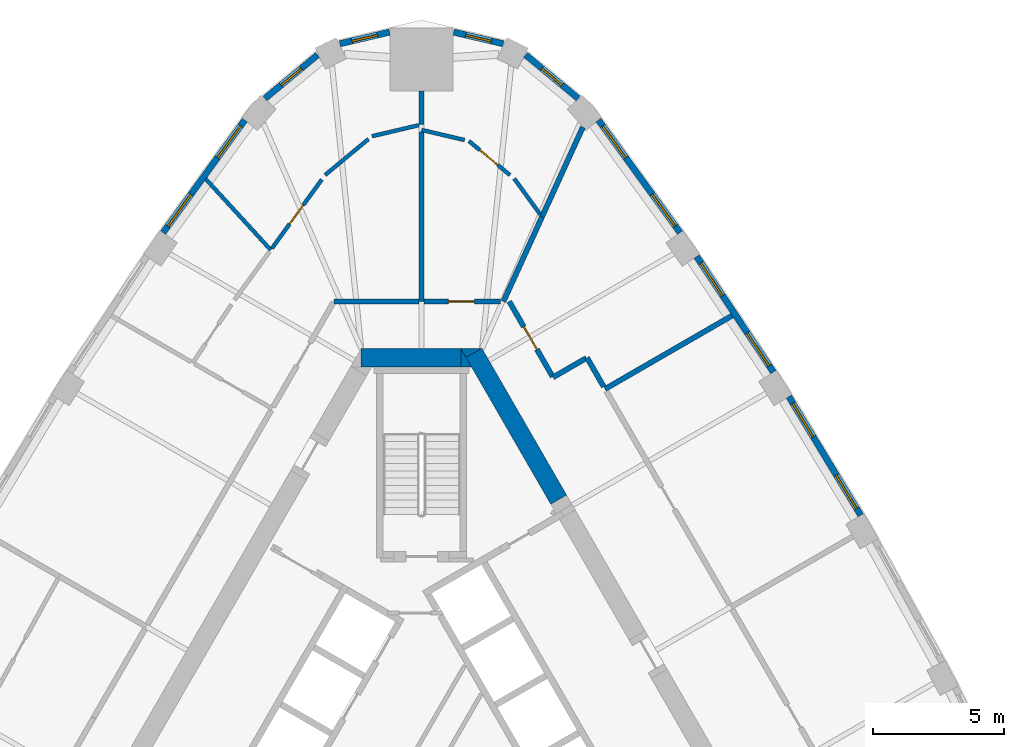
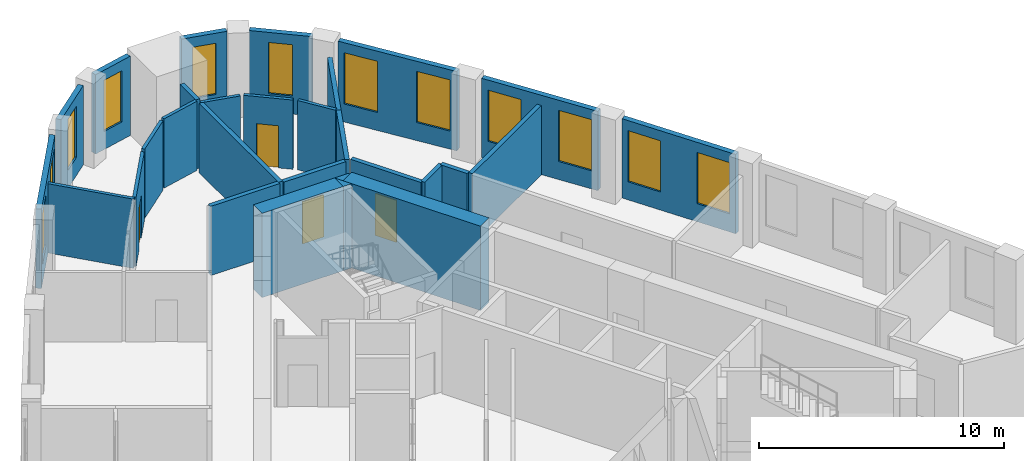
# One storey, part 8 of 10: 29 walls, 12 windows, 4 doors, 16 openings.
"""IFC4 building model written with IfcOpenShell, lengths in metres."""

from ifc_helpers import new_model, si_unit, direction, frame, frame_2d, origin, place, context, subcontext, project, spatial, polyline, rectangle, outline, extrude, material, layer, layer_set, type_object, element, fill, save


model = new_model("IFC4")

# Units and contexts
model_context = context("Model", 3, precision=1e-05, world=origin(), true_north=direction((0.0, 1.0)))
body_context = subcontext(model_context, "Body", "Model", "MODEL_VIEW")
ifc_project = project(units=[si_unit("LENGTHUNIT", "METRE"), si_unit("AREAUNIT", "SQUARE_METRE"), si_unit("VOLUMEUNIT", "CUBIC_METRE"), si_unit("PLANEANGLEUNIT", "RADIAN"), si_unit("MASSUNIT", "GRAM", prefix="KILO")], contexts=[model_context])

# Site, building, storey
site_placement = place(None, origin())
site = spatial("IfcSite", under=ifc_project, at=site_placement, CompositionType="ELEMENT")
building_placement = place(site_placement, origin())
building = spatial("IfcBuilding", under=site, at=building_placement, Name="Mestral Congress Tower", CompositionType="ELEMENT")
storey_placement = place(building_placement, frame((0.0, 0.0, 222.60009765625)))
storey = spatial("IfcBuildingStorey", under=building, at=storey_placement, Name="L52", CompositionType="ELEMENT", Elevation=222.60009765625)

# Walls
ifc_material_1 = material(Name="Concrete C60/75", Category="concrete")
ifc_layer_1 = layer(ifc_material_1, 0.699951171875)
ifc_layer_set_1 = layer_set([ifc_layer_1], Name="Concrete C60/75")
wall_type_1 = type_object("IfcWallType", Name="Core wall RC 700", PredefinedType="SOLIDWALL", material=ifc_layer_set_1)
wall_1_placement = place(storey_placement, frame((5.23828125, 10.927001953125, 0.0), z_axis=(0.0, 0.0, 1.0), x_axis=(-0.499985607887, 0.866033712915, 0.0)))
element("IfcWall", 1, at=wall_1_placement, inside=storey, type_object=wall_type_1, Name="L52 core wall", PredefinedType="SOLIDWALL", context=body_context, shape_type="SweptSolid", body=[
    extrude(rectangle(XDim=6.478271484375, YDim=0.699951171875, at=frame_2d((3.2392578125, 0.0))), origin(), (0.0, 0.0, 1.0), 4.199951171875),
])
placement = place(storey_placement, origin())
element("IfcWall", 2, at=placement, inside=storey, type_object=wall_type_1, Name="L52 core wall", PredefinedType="SOLIDWALL", context=body_context, shape_type="SweptSolid", body=[
    extrude(outline(polyline([(1.501220703125, 16.699951171875), (2.277099609375, 16.699951171875), (1.695068359375, 16.364013671875), (1.501220703125, 16.699951171875)])), origin(), (0.0, 0.0, 1.0), 4.199951171875),
])
wall_3_placement = place(storey_placement, frame((-2.323486328125, 16.35009765625, 0.0), z_axis=(0.0, 0.0, 1.0), x_axis=(1.0, 0.0, 0.0)))
element("IfcWall", 3, at=wall_3_placement, inside=storey, type_object=wall_type_1, Name="L52 core wall", PredefinedType="SOLIDWALL", context=body_context, shape_type="SweptSolid", body=[
    extrude(rectangle(XDim=3.828857421875, YDim=0.699951171875, at=frame_2d((1.91455078125, 0.0))), origin(), (0.0, 0.0, 1.0), 4.199951171875),
])
element("IfcWall", 4, at=placement, inside=storey, type_object=wall_type_1, Name="L52 core wall", PredefinedType="SOLIDWALL", context=body_context, shape_type="SweptSolid", body=[
    extrude(outline(polyline([(1.9052734375, 16.0), (1.50732421875, 16.0), (1.50732421875, 16.689208984375), (1.9052734375, 16.0)])), origin(), (0.0, 0.0, 1.0), 4.199951171875),
])

# Wall, openings, windows
ifc_material_2 = material(Name="Precast concrete C40/50 with limestone facing", Category="masonry")
ifc_layer_2 = layer(ifc_material_2, 0.239990234375)
ifc_layer_set_2 = layer_set([ifc_layer_2], Name="Precast concrete C40/50 with limestone facing")
wall_type_2 = type_object("IfcWallType", Name="Facade stone wall 240", PredefinedType="SOLIDWALL", material=ifc_layer_set_2)
wall_5_placement = place(storey_placement, frame((16.78173828125, 10.331298828125, 0.0), z_axis=(0.0, 0.0, 1.0), x_axis=(-0.517846166225, 0.855473756538, 0.0)))
wall_5 = element("IfcWall", 5, at=wall_5_placement, inside=storey, type_object=wall_type_2, Name="Facade wall F1-03", PredefinedType="SOLIDWALL", context=body_context, shape_type="SweptSolid", body=[
    extrude(rectangle(XDim=5.298095703125, YDim=0.239990234375, at=frame_2d((2.64892578125, 0.0))), origin(), (0.0, 0.0, 1.0), 3.949951171875),
])
opening_1_placement = place(wall_5_placement, frame((0.29443359375, 0.0, 0.89990234375)))
opening_1 = element("IfcOpeningElement", 6, at=opening_1_placement, cuts=wall_5, Name="Opening W4", PredefinedType="OPENING", context=body_context, shape_type="SweptSolid", body=[
    extrude(rectangle(XDim=1.5, YDim=2.550048828125, at=frame_2d((0.75, 1.27490234375))), frame((0.0, 0.1298828125, 0.0), z_axis=(0.0, -1.0, 0.0), x_axis=(1.0, 0.0, 0.0)), (0.0, 0.0, 1.0), 0.260009765625),
])
opening_2_placement = place(wall_5_placement, frame((3.503662109375, 0.0, 0.89990234375)))
opening_2 = element("IfcOpeningElement", 7, at=opening_2_placement, cuts=wall_5, Name="Opening W4", PredefinedType="OPENING", context=body_context, shape_type="SweptSolid", body=[
    extrude(rectangle(XDim=1.5, YDim=2.550048828125, at=frame_2d((0.75, 1.27490234375))), frame((0.0, 0.1298828125, 0.0), z_axis=(0.0, -1.0, 0.0), x_axis=(1.0, 0.0, 0.0)), (0.0, 0.0, 1.0), 0.260009765625),
])
ifc_material_3 = material(Name="Clear low-emissivity double glazing", Category="glass")
window_type_1 = type_object("IfcWindowType", Name="Facade punched window 1500 x 2550 sill 900", PartitioningType="SINGLE_PANEL", PredefinedType="WINDOW", material=ifc_material_3)
window_1_placement = place(opening_1_placement, origin())
window_1 = element("IfcWindow", 8, at=window_1_placement, inside=storey, type_object=window_type_1, Name="Window F1-03a", OverallHeight=2.550048828125, OverallWidth=1.5, PartitioningType="SINGLE_PANEL", PredefinedType="WINDOW", context=body_context, shape_type="SweptSolid", body=[
    extrude(rectangle(XDim=1.5, YDim=2.550048828125, at=frame_2d((0.75, 1.27490234375))), frame((0.0, 0.0400390625, 0.0), z_axis=(0.0, -1.0, 0.0), x_axis=(1.0, 0.0, 0.0)), (0.0, 0.0, 1.0), 0.06005859375),
])
fill(opening_1, window_1)
window_2_placement = place(opening_2_placement, origin())
window_2 = element("IfcWindow", 9, at=window_2_placement, inside=storey, type_object=window_type_1, Name="Window F1-03b", OverallHeight=2.550048828125, OverallWidth=1.5, PartitioningType="SINGLE_PANEL", PredefinedType="WINDOW", context=body_context, shape_type="SweptSolid", body=[
    extrude(rectangle(XDim=1.5, YDim=2.550048828125, at=frame_2d((0.75, 1.27490234375))), frame((0.0, 0.0400390625, 0.0), z_axis=(0.0, -1.0, 0.0), x_axis=(1.0, 0.0, 0.0)), (0.0, 0.0, 1.0), 0.06005859375),
])
fill(opening_2, window_2)

wall_6_placement = place(storey_placement, frame((13.442138671875, 15.803466796875, 0.0), z_axis=(0.0, 0.0, 1.0), x_axis=(-0.552901821755, 0.833246407433, 0.0)))
wall_6 = element("IfcWall", 10, at=wall_6_placement, inside=storey, type_object=wall_type_2, Name="Facade wall F1-04", PredefinedType="SOLIDWALL", context=body_context, shape_type="SweptSolid", body=[
    extrude(rectangle(XDim=5.29833984375, YDim=0.239990234375, at=frame_2d((2.649169921875, 0.0))), origin(), (0.0, 0.0, 1.0), 3.949951171875),
])
opening_3_placement = place(wall_6_placement, frame((0.294677734375, 0.0, 0.89990234375)))
opening_3 = element("IfcOpeningElement", 11, at=opening_3_placement, cuts=wall_6, Name="Opening W4", PredefinedType="OPENING", context=body_context, shape_type="SweptSolid", body=[
    extrude(rectangle(XDim=1.5, YDim=2.550048828125, at=frame_2d((0.75, 1.27490234375))), frame((0.0, 0.1298828125, 0.0), z_axis=(0.0, -1.0, 0.0), x_axis=(1.0, 0.0, 0.0)), (0.0, 0.0, 1.0), 0.260009765625),
])
opening_4_placement = place(wall_6_placement, frame((3.50390625, 0.0, 0.89990234375)))
opening_4 = element("IfcOpeningElement", 12, at=opening_4_placement, cuts=wall_6, Name="Opening W4", PredefinedType="OPENING", context=body_context, shape_type="SweptSolid", body=[
    extrude(rectangle(XDim=1.5, YDim=2.550048828125, at=frame_2d((0.75, 1.27490234375))), frame((0.0, 0.1298828125, 0.0), z_axis=(0.0, -1.0, 0.0), x_axis=(1.0, 0.0, 0.0)), (0.0, 0.0, 1.0), 0.260009765625),
])
window_3_placement = place(opening_3_placement, origin())
window_3 = element("IfcWindow", 13, at=window_3_placement, inside=storey, type_object=window_type_1, Name="Window F1-04a", OverallHeight=2.550048828125, OverallWidth=1.5, PartitioningType="SINGLE_PANEL", PredefinedType="WINDOW", context=body_context, shape_type="SweptSolid", body=[
    extrude(rectangle(XDim=1.5, YDim=2.550048828125, at=frame_2d((0.75, 1.27490234375))), frame((0.0, 0.0400390625, 0.0), z_axis=(0.0, -1.0, 0.0), x_axis=(1.0, 0.0, 0.0)), (0.0, 0.0, 1.0), 0.06005859375),
])
fill(opening_3, window_3)
window_4_placement = place(opening_4_placement, origin())
window_4 = element("IfcWindow", 14, at=window_4_placement, inside=storey, type_object=window_type_1, Name="Window F1-04b", OverallHeight=2.550048828125, OverallWidth=1.5, PartitioningType="SINGLE_PANEL", PredefinedType="WINDOW", context=body_context, shape_type="SweptSolid", body=[
    extrude(rectangle(XDim=1.5, YDim=2.550048828125, at=frame_2d((0.75, 1.27490234375))), frame((0.0, 0.0400390625, 0.0), z_axis=(0.0, -1.0, 0.0), x_axis=(1.0, 0.0, 0.0)), (0.0, 0.0, 1.0), 0.06005859375),
])
fill(opening_4, window_4)

wall_7_placement = place(storey_placement, frame((9.87841796875, 21.13232421875, 0.0), z_axis=(0.0, 0.0, 1.0), x_axis=(-0.586998456641, 0.80958805074, 0.0)))
wall_7 = element("IfcWall", 15, at=wall_7_placement, inside=storey, type_object=wall_type_2, Name="Facade wall F1-05", PredefinedType="SOLIDWALL", context=body_context, shape_type="SweptSolid", body=[
    extrude(rectangle(XDim=5.310791015625, YDim=0.239990234375, at=frame_2d((2.6552734375, 0.0))), origin(), (0.0, 0.0, 1.0), 3.949951171875),
])
opening_5_placement = place(wall_7_placement, frame((0.306396484375, 0.0, 0.89990234375)))
opening_5 = element("IfcOpeningElement", 16, at=opening_5_placement, cuts=wall_7, Name="Opening W4", PredefinedType="OPENING", context=body_context, shape_type="SweptSolid", body=[
    extrude(rectangle(XDim=1.5, YDim=2.550048828125, at=frame_2d((0.75, 1.27490234375))), frame((0.0, 0.1298828125, 0.0), z_axis=(0.0, -1.0, 0.0), x_axis=(1.0, 0.0, 0.0)), (0.0, 0.0, 1.0), 0.260009765625),
])
opening_6_placement = place(wall_7_placement, frame((3.539306640625, 0.0, 0.89990234375)))
opening_6 = element("IfcOpeningElement", 17, at=opening_6_placement, cuts=wall_7, Name="Opening W4", PredefinedType="OPENING", context=body_context, shape_type="SweptSolid", body=[
    extrude(rectangle(XDim=1.5, YDim=2.550048828125, at=frame_2d((0.75, 1.27490234375))), frame((0.0, 0.1298828125, 0.0), z_axis=(0.0, -1.0, 0.0), x_axis=(1.0, 0.0, 0.0)), (0.0, 0.0, 1.0), 0.260009765625),
])
window_5_placement = place(opening_5_placement, origin())
window_5 = element("IfcWindow", 18, at=window_5_placement, inside=storey, type_object=window_type_1, Name="Window F1-05a", OverallHeight=2.550048828125, OverallWidth=1.5, PartitioningType="SINGLE_PANEL", PredefinedType="WINDOW", context=body_context, shape_type="SweptSolid", body=[
    extrude(rectangle(XDim=1.5, YDim=2.550048828125, at=frame_2d((0.75, 1.27490234375))), frame((0.0, 0.0400390625, 0.0), z_axis=(0.0, -1.0, 0.0), x_axis=(1.0, 0.0, 0.0)), (0.0, 0.0, 1.0), 0.06005859375),
])
fill(opening_5, window_5)
window_6_placement = place(opening_6_placement, origin())
window_6 = element("IfcWindow", 19, at=window_6_placement, inside=storey, type_object=window_type_1, Name="Window F1-05b", OverallHeight=2.550048828125, OverallWidth=1.5, PartitioningType="SINGLE_PANEL", PredefinedType="WINDOW", context=body_context, shape_type="SweptSolid", body=[
    extrude(rectangle(XDim=1.5, YDim=2.550048828125, at=frame_2d((0.75, 1.27490234375))), frame((0.0, 0.0400390625, 0.0), z_axis=(0.0, -1.0, 0.0), x_axis=(1.0, 0.0, 0.0)), (0.0, 0.0, 1.0), 0.06005859375),
])
fill(opening_6, window_6)

# Wall, opening, window
wall_8_placement = place(storey_placement, frame((5.986572265625, 26.259033203125, 0.0), z_axis=(0.0, 0.0, 1.0), x_axis=(-0.769990037733, 0.638055908045, 0.0)))
wall_8 = element("IfcWall", 20, at=wall_8_placement, inside=storey, type_object=wall_type_2, Name="Facade wall K1-0", PredefinedType="SOLIDWALL", context=body_context, shape_type="SweptSolid", body=[
    extrude(rectangle(XDim=2.609130859375, YDim=0.239990234375, at=frame_2d((1.3046875, 0.0))), origin(), (0.0, 0.0, 1.0), 3.949951171875),
])
opening_7_placement = place(wall_8_placement, frame((0.8046875, 0.0, 0.89990234375)))
opening_7 = element("IfcOpeningElement", 21, at=opening_7_placement, cuts=wall_8, Name="Opening W5", PredefinedType="OPENING", context=body_context, shape_type="SweptSolid", body=[
    extrude(rectangle(XDim=1.0, YDim=2.550048828125, at=frame_2d((0.5, 1.27490234375))), frame((0.0, 0.1298828125, 0.0), z_axis=(0.0, -1.0, 0.0), x_axis=(1.0, 0.0, 0.0)), (0.0, 0.0, 1.0), 0.260009765625),
])
window_type_2 = type_object("IfcWindowType", Name="Facade punched window 1000 x 2550 sill 900", PartitioningType="SINGLE_PANEL", PredefinedType="WINDOW", material=ifc_material_3)
window_7_placement = place(opening_7_placement, origin())
window_7 = element("IfcWindow", 22, at=window_7_placement, inside=storey, type_object=window_type_2, Name="Window K1-0", OverallHeight=2.550048828125, OverallWidth=1.0, PartitioningType="SINGLE_PANEL", PredefinedType="WINDOW", context=body_context, shape_type="SweptSolid", body=[
    extrude(rectangle(XDim=1.0, YDim=2.550048828125, at=frame_2d((0.5, 1.27490234375))), frame((0.0, 0.0400390625, 0.0), z_axis=(0.0, -1.0, 0.0), x_axis=(1.0, 0.0, 0.0)), (0.0, 0.0, 1.0), 0.06005859375),
])
fill(opening_7, window_7)

wall_9_placement = place(storey_placement, frame((3.123046875, 28.3486328125, 0.0), z_axis=(0.0, 0.0, 1.0), x_axis=(-0.973515706272, 0.228620142686, 0.0)))
wall_9 = element("IfcWall", 23, at=wall_9_placement, inside=storey, type_object=wall_type_2, Name="Facade wall K1-1", PredefinedType="SOLIDWALL", context=body_context, shape_type="SweptSolid", body=[
    extrude(rectangle(XDim=1.94775390625, YDim=0.239990234375, at=frame_2d((0.973876953125, 0.0))), origin(), (0.0, 0.0, 1.0), 3.949951171875),
])
opening_8_placement = place(wall_9_placement, frame((0.47412109375, 0.0, 0.89990234375)))
opening_8 = element("IfcOpeningElement", 24, at=opening_8_placement, cuts=wall_9, Name="Opening W5", PredefinedType="OPENING", context=body_context, shape_type="SweptSolid", body=[
    extrude(rectangle(XDim=1.0, YDim=2.550048828125, at=frame_2d((0.5, 1.27490234375))), frame((0.0, 0.1298828125, 0.0), z_axis=(0.0, -1.0, 0.0), x_axis=(1.0, 0.0, 0.0)), (0.0, 0.0, 1.0), 0.260009765625),
])
window_8_placement = place(opening_8_placement, origin())
window_8 = element("IfcWindow", 25, at=window_8_placement, inside=storey, type_object=window_type_2, Name="Window K1-1", OverallHeight=2.550048828125, OverallWidth=1.0, PartitioningType="SINGLE_PANEL", PredefinedType="WINDOW", context=body_context, shape_type="SweptSolid", body=[
    extrude(rectangle(XDim=1.0, YDim=2.550048828125, at=frame_2d((0.5, 1.27490234375))), frame((0.0, 0.0400390625, 0.0), z_axis=(0.0, -1.0, 0.0), x_axis=(1.0, 0.0, 0.0)), (0.0, 0.0, 1.0), 0.06005859375),
])
fill(opening_8, window_8)

wall_10_placement = place(storey_placement, frame((-1.226806640625, 28.7939453125, 0.0), z_axis=(0.0, 0.0, 1.0), x_axis=(-0.973515706272, -0.228620142686, 0.0)))
wall_10 = element("IfcWall", 26, at=wall_10_placement, inside=storey, type_object=wall_type_2, Name="Facade wall K1-2", PredefinedType="SOLIDWALL", context=body_context, shape_type="SweptSolid", body=[
    extrude(rectangle(XDim=1.94775390625, YDim=0.239990234375, at=frame_2d((0.973876953125, 0.0))), origin(), (0.0, 0.0, 1.0), 3.949951171875),
])
opening_9_placement = place(wall_10_placement, frame((0.47412109375, 0.0, 0.89990234375)))
opening_9 = element("IfcOpeningElement", 27, at=opening_9_placement, cuts=wall_10, Name="Opening W5", PredefinedType="OPENING", context=body_context, shape_type="SweptSolid", body=[
    extrude(rectangle(XDim=1.0, YDim=2.550048828125, at=frame_2d((0.5, 1.27490234375))), frame((0.0, 0.1298828125, 0.0), z_axis=(0.0, -1.0, 0.0), x_axis=(1.0, 0.0, 0.0)), (0.0, 0.0, 1.0), 0.260009765625),
])
window_9_placement = place(opening_9_placement, origin())
window_9 = element("IfcWindow", 28, at=window_9_placement, inside=storey, type_object=window_type_2, Name="Window K1-2", OverallHeight=2.550048828125, OverallWidth=1.0, PartitioningType="SINGLE_PANEL", PredefinedType="WINDOW", context=body_context, shape_type="SweptSolid", body=[
    extrude(rectangle(XDim=1.0, YDim=2.550048828125, at=frame_2d((0.5, 1.27490234375))), frame((0.0, 0.0400390625, 0.0), z_axis=(0.0, -1.0, 0.0), x_axis=(1.0, 0.0, 0.0)), (0.0, 0.0, 1.0), 0.06005859375),
])
fill(opening_9, window_9)

wall_11_placement = place(storey_placement, frame((-3.9775390625, 27.923828125, 0.0), z_axis=(0.0, 0.0, 1.0), x_axis=(-0.769990037733, -0.638055908045, 0.0)))
wall_11 = element("IfcWall", 29, at=wall_11_placement, inside=storey, type_object=wall_type_2, Name="Facade wall K1-3", PredefinedType="SOLIDWALL", context=body_context, shape_type="SweptSolid", body=[
    extrude(rectangle(XDim=2.609130859375, YDim=0.239990234375, at=frame_2d((1.3046875, 0.0))), origin(), (0.0, 0.0, 1.0), 3.949951171875),
])
opening_10_placement = place(wall_11_placement, frame((0.8046875, 0.0, 0.89990234375)))
opening_10 = element("IfcOpeningElement", 30, at=opening_10_placement, cuts=wall_11, Name="Opening W5", PredefinedType="OPENING", context=body_context, shape_type="SweptSolid", body=[
    extrude(rectangle(XDim=1.0, YDim=2.550048828125, at=frame_2d((0.5, 1.27490234375))), frame((0.0, 0.1298828125, 0.0), z_axis=(0.0, -1.0, 0.0), x_axis=(1.0, 0.0, 0.0)), (0.0, 0.0, 1.0), 0.260009765625),
])
window_10_placement = place(opening_10_placement, origin())
window_10 = element("IfcWindow", 31, at=window_10_placement, inside=storey, type_object=window_type_2, Name="Window K1-3", OverallHeight=2.550048828125, OverallWidth=1.0, PartitioningType="SINGLE_PANEL", PredefinedType="WINDOW", context=body_context, shape_type="SweptSolid", body=[
    extrude(rectangle(XDim=1.0, YDim=2.550048828125, at=frame_2d((0.5, 1.27490234375))), frame((0.0, 0.0400390625, 0.0), z_axis=(0.0, -1.0, 0.0), x_axis=(1.0, 0.0, 0.0)), (0.0, 0.0, 1.0), 0.06005859375),
])
fill(opening_10, window_10)

# Wall, openings, windows
wall_12_placement = place(storey_placement, frame((-6.760986328125, 25.431884765625, 0.0), z_axis=(0.0, 0.0, 1.0), x_axis=(-0.586998456641, -0.80958805074, 0.0)))
wall_12 = element("IfcWall", 32, at=wall_12_placement, inside=storey, type_object=wall_type_2, Name="Facade wall F2-00", PredefinedType="SOLIDWALL", context=body_context, shape_type="SweptSolid", body=[
    extrude(rectangle(XDim=5.310791015625, YDim=0.239990234375, at=frame_2d((2.6552734375, 0.0))), origin(), (0.0, 0.0, 1.0), 3.949951171875),
])
opening_11_placement = place(wall_12_placement, frame((0.271484375, 0.0, 0.89990234375)))
opening_11 = element("IfcOpeningElement", 33, at=opening_11_placement, cuts=wall_12, Name="Opening W4", PredefinedType="OPENING", context=body_context, shape_type="SweptSolid", body=[
    extrude(rectangle(XDim=1.5, YDim=2.550048828125, at=frame_2d((0.75, 1.27490234375))), frame((0.0, 0.1298828125, 0.0), z_axis=(0.0, -1.0, 0.0), x_axis=(1.0, 0.0, 0.0)), (0.0, 0.0, 1.0), 0.260009765625),
])
opening_12_placement = place(wall_12_placement, frame((3.50439453125, 0.0, 0.89990234375)))
opening_12 = element("IfcOpeningElement", 34, at=opening_12_placement, cuts=wall_12, Name="Opening W4", PredefinedType="OPENING", context=body_context, shape_type="SweptSolid", body=[
    extrude(rectangle(XDim=1.5, YDim=2.550048828125, at=frame_2d((0.75, 1.27490234375))), frame((0.0, 0.1298828125, 0.0), z_axis=(0.0, -1.0, 0.0), x_axis=(1.0, 0.0, 0.0)), (0.0, 0.0, 1.0), 0.260009765625),
])
window_11_placement = place(opening_11_placement, origin())
window_11 = element("IfcWindow", 35, at=window_11_placement, inside=storey, type_object=window_type_1, Name="Window F2-00a", OverallHeight=2.550048828125, OverallWidth=1.5, PartitioningType="SINGLE_PANEL", PredefinedType="WINDOW", context=body_context, shape_type="SweptSolid", body=[
    extrude(rectangle(XDim=1.5, YDim=2.550048828125, at=frame_2d((0.75, 1.27490234375))), frame((0.0, 0.0400390625, 0.0), z_axis=(0.0, -1.0, 0.0), x_axis=(1.0, 0.0, 0.0)), (0.0, 0.0, 1.0), 0.06005859375),
])
fill(opening_11, window_11)
window_12_placement = place(opening_12_placement, origin())
window_12 = element("IfcWindow", 36, at=window_12_placement, inside=storey, type_object=window_type_1, Name="Window F2-00b", OverallHeight=2.550048828125, OverallWidth=1.5, PartitioningType="SINGLE_PANEL", PredefinedType="WINDOW", context=body_context, shape_type="SweptSolid", body=[
    extrude(rectangle(XDim=1.5, YDim=2.550048828125, at=frame_2d((0.75, 1.27490234375))), frame((0.0, 0.0400390625, 0.0), z_axis=(0.0, -1.0, 0.0), x_axis=(1.0, 0.0, 0.0)), (0.0, 0.0, 1.0), 0.06005859375),
])
fill(opening_12, window_12)

# Wall
ifc_material_4 = material(Name="Plasterboard partition on steel studs", Category="steel")
ifc_layer_3 = layer(ifc_material_4, 0.14990234375)
ifc_layer_set_3 = layer_set([ifc_layer_3], Name="Plasterboard partition on steel studs")
wall_type_3 = type_object("IfcWallType", Name="Office partition 150", PredefinedType="PARTITIONING", material=ifc_layer_set_3)
wall_13_placement = place(storey_placement, frame((4.533203125, 21.826416015625, 0.0), z_axis=(0.0, 0.0, 1.0), x_axis=(-0.587019669034, 0.809572670096, 0.0)))
element("IfcWall", 37, at=wall_13_placement, inside=storey, type_object=wall_type_3, Name="Partition", PredefinedType="PARTITIONING", context=body_context, shape_type="SweptSolid", body=[
    extrude(rectangle(XDim=1.689453125, YDim=0.14990234375, at=frame_2d((0.8447265625, 0.0))), origin(), (0.0, 0.0, 1.0), 3.449951171875),
])

# Wall, opening, door
wall_14_placement = place(storey_placement, frame((1.8076171875, 24.630859375, 0.0), z_axis=(0.0, 0.0, 1.0), x_axis=(0.769986239032, -0.638060492195, 0.0)))
wall_14 = element("IfcWall", 38, at=wall_14_placement, inside=storey, type_object=wall_type_3, Name="Partition", PredefinedType="PARTITIONING", context=body_context, shape_type="SweptSolid", body=[
    extrude(rectangle(XDim=2.03759765625, YDim=0.14990234375, at=frame_2d((1.018798828125, 0.0))), origin(), (0.0, 0.0, 1.0), 3.449951171875),
])
opening_13_placement = place(wall_14_placement, frame((0.53759765625, 0.0, 0.0)))
opening_13 = element("IfcOpeningElement", 39, at=opening_13_placement, cuts=wall_14, Name="Opening O07-007", PredefinedType="OPENING", context=body_context, shape_type="SweptSolid", body=[
    extrude(rectangle(XDim=0.89990234375, YDim=2.10009765625, at=frame_2d((0.449951171875, 1.050048828125))), frame((0.0, 0.0849609375, 0.0), z_axis=(0.0, -1.0, 0.0), x_axis=(1.0, 0.0, 0.0)), (0.0, 0.0, 1.0), 0.169921875),
])
ifc_material_5 = material(Name="Timber door set", Category="wood")
door_type_1 = type_object("IfcDoorType", Name="Office door 900x2100", OperationType="SINGLE_SWING_LEFT", PredefinedType="DOOR", material=ifc_material_5)
door_1_placement = place(opening_13_placement, origin())
door_1 = element("IfcDoor", 40, at=door_1_placement, inside=storey, type_object=door_type_1, Name="Door O07-007", OperationType="SINGLE_SWING_LEFT", OverallHeight=2.10009765625, OverallWidth=0.89990234375, PredefinedType="DOOR", context=body_context, shape_type="SweptSolid", body=[
    extrude(rectangle(XDim=0.89990234375, YDim=2.10009765625, at=frame_2d((0.449951171875, 1.050048828125))), frame((0.0, 0.02490234375, 0.0), z_axis=(0.0, -1.0, 0.0), x_axis=(1.0, 0.0, 0.0)), (0.0, 0.0, 1.0), 0.050048828125),
])
fill(opening_13, door_1)

# Walls
wall_15_placement = place(storey_placement, frame((1.643798828125, 24.66943359375, 0.0), z_axis=(0.0, 0.0, 1.0), x_axis=(-0.973521361509, 0.228596060084, 0.0)))
element("IfcWall", 41, at=wall_15_placement, inside=storey, type_object=wall_type_3, Name="Partition", PredefinedType="PARTITIONING", context=body_context, shape_type="SweptSolid", body=[
    extrude(rectangle(XDim=1.6884765625, YDim=0.14990234375, at=frame_2d((0.84423828125, 0.0))), origin(), (0.0, 0.0, 1.0), 3.449951171875),
])
wall_16_placement = place(storey_placement, frame((-5.764404296875, 20.46923828125, 0.0), z_axis=(0.0, 0.0, 1.0), x_axis=(-0.675673477211, 0.737201025632, 0.0)))
element("IfcWall", 42, at=wall_16_placement, inside=storey, type_object=wall_type_3, Name="Partition", PredefinedType="PARTITIONING", context=body_context, shape_type="SweptSolid", body=[
    extrude(rectangle(XDim=3.67431640625, YDim=0.14990234375, at=frame_2d((1.837158203125, 0.0))), origin(), (0.0, 0.0, 1.0), 3.449951171875),
])
wall_17_placement = place(storey_placement, frame((-0.10009765625, 25.2373046875, 0.0), z_axis=(0.0, 0.0, 1.0), x_axis=(-0.973501996937, -0.22867851224, 0.0)))
element("IfcWall", 43, at=wall_17_placement, inside=storey, type_object=wall_type_3, Name="Partition", PredefinedType="PARTITIONING", context=body_context, shape_type="SweptSolid", body=[
    extrude(rectangle(XDim=1.84814453125, YDim=0.14990234375, at=frame_2d((0.924072265625, 0.0))), origin(), (0.0, 0.0, 1.0), 3.449951171875),
])
wall_18_placement = place(storey_placement, frame((-2.02880859375, 24.707275390625, 0.0), z_axis=(0.0, 0.0, 1.0), x_axis=(-0.769991356208, -0.63805431694, 0.0)))
element("IfcWall", 44, at=wall_18_placement, inside=storey, type_object=wall_type_3, Name="Partition", PredefinedType="PARTITIONING", context=body_context, shape_type="SweptSolid", body=[
    extrude(rectangle(XDim=2.15576171875, YDim=0.14990234375, at=frame_2d((1.077880859375, 0.0))), origin(), (0.0, 0.0, 1.0), 3.449951171875),
])

# Wall, opening, door
wall_19_placement = place(storey_placement, frame((-5.71923828125, 20.53125, 0.0), z_axis=(0.0, 0.0, 1.0), x_axis=(0.586981132734, 0.809600611298, 0.0)))
wall_19 = element("IfcWall", 45, at=wall_19_placement, inside=storey, type_object=wall_type_3, Name="Partition", PredefinedType="PARTITIONING", context=body_context, shape_type="SweptSolid", body=[
    extrude(rectangle(XDim=3.2451171875, YDim=0.14990234375, at=frame_2d((1.62255859375, 0.0))), origin(), (0.0, 0.0, 1.0), 3.449951171875),
])
opening_14_placement = place(wall_19_placement, frame((1.145263671875, 0.0, 0.0)))
opening_14 = element("IfcOpeningElement", 46, at=opening_14_placement, cuts=wall_19, Name="Opening O07-009", PredefinedType="OPENING", context=body_context, shape_type="SweptSolid", body=[
    extrude(rectangle(XDim=0.89990234375, YDim=2.10009765625, at=frame_2d((0.449951171875, 1.050048828125))), frame((0.0, 0.0849609375, 0.0), z_axis=(0.0, -1.0, 0.0), x_axis=(1.0, 0.0, 0.0)), (0.0, 0.0, 1.0), 0.169921875),
])
door_2_placement = place(opening_14_placement, origin())
door_2 = element("IfcDoor", 47, at=door_2_placement, inside=storey, type_object=door_type_1, Name="Door O07-009", OperationType="SINGLE_SWING_LEFT", OverallHeight=2.10009765625, OverallWidth=0.89990234375, PredefinedType="DOOR", context=body_context, shape_type="SweptSolid", body=[
    extrude(rectangle(XDim=0.89990234375, YDim=2.10009765625, at=frame_2d((0.449951171875, 1.050048828125))), frame((0.0, 0.02490234375, 0.0), z_axis=(0.0, -1.0, 0.0), x_axis=(1.0, 0.0, 0.0)), (0.0, 0.0, 1.0), 0.050048828125),
])
fill(opening_14, door_2)

# Walls
ifc_material_6 = material(Name="Dense masonry wall, plastered", Category="masonry")
ifc_layer_4 = layer(ifc_material_6, 0.199951171875)
ifc_layer_set_4 = layer_set([ifc_layer_4], Name="Dense masonry wall, plastered")
wall_type_4 = type_object("IfcWallType", Name="Office tenancy wall 200", PredefinedType="PARTITIONING", material=ifc_layer_set_4)
wall_20_placement = place(storey_placement, frame((7.011474609375, 15.156005859375, 0.0), z_axis=(0.0, 0.0, 1.0), x_axis=(0.866015917575, 0.500016430238, 0.0)))
element("IfcWall", 48, at=wall_20_placement, inside=storey, type_object=wall_type_4, Name="Tenancy wall", PredefinedType="PARTITIONING", context=body_context, shape_type="SweptSolid", body=[
    extrude(rectangle(XDim=5.607177734375, YDim=0.199951171875, at=frame_2d((2.8037109375, 0.0))), origin(), (0.0, 0.0, 1.0), 3.449951171875),
])
wall_21_placement = place(storey_placement, frame((4.59912109375, 21.7294921875, 0.0), z_axis=(0.0, 0.0, 1.0), x_axis=(0.414300595715, 0.91014010811, 0.0)))
element("IfcWall", 49, at=wall_21_placement, inside=storey, type_object=wall_type_4, Name="Tenancy wall", PredefinedType="PARTITIONING", context=body_context, shape_type="SweptSolid", body=[
    extrude(rectangle(XDim=3.76953125, YDim=0.199951171875, at=frame_2d((1.884765625, 0.0))), origin(), (0.0, 0.0, 1.0), 3.449951171875),
])
wall_22_placement = place(storey_placement, frame((3.12890625, 18.5, 0.0), z_axis=(0.0, 0.0, 1.0), x_axis=(0.41435618773, 0.910114800281, 0.0)))
element("IfcWall", 50, at=wall_22_placement, inside=storey, type_object=wall_type_4, Name="Tenancy wall", PredefinedType="PARTITIONING", context=body_context, shape_type="SweptSolid", body=[
    extrude(rectangle(XDim=3.55712890625, YDim=0.199951171875, at=frame_2d((1.778564453125, 0.0))), origin(), (0.0, 0.0, 1.0), 3.449951171875),
])
wall_23_placement = place(storey_placement, frame((6.96142578125, 15.24267578125, 0.0), z_axis=(0.0, 0.0, 1.0), x_axis=(-0.500036104519, 0.866004557827, 0.0)))
element("IfcWall", 51, at=wall_23_placement, inside=storey, type_object=wall_type_4, Name="Tenancy wall", PredefinedType="PARTITIONING", context=body_context, shape_type="SweptSolid", body=[
    extrude(rectangle(XDim=1.2802734375, YDim=0.199951171875, at=frame_2d((0.64013671875, 0.0))), origin(), (0.0, 0.0, 1.0), 3.449951171875),
])
wall_24_placement = place(storey_placement, frame((6.29541015625, 16.336181640625, 0.0), z_axis=(0.0, 0.0, 1.0), x_axis=(-0.866088799389, -0.499890179513, 0.0)))
element("IfcWall", 52, at=wall_24_placement, inside=storey, type_object=wall_type_4, Name="Tenancy wall", PredefinedType="PARTITIONING", context=body_context, shape_type="SweptSolid", body=[
    extrude(rectangle(XDim=1.469970703125, YDim=0.199951171875, at=frame_2d((0.73486328125, 0.0))), origin(), (0.0, 0.0, 1.0), 3.449951171875),
])

# Wall, opening, door
wall_25_placement = place(storey_placement, frame((5.007080078125, 15.627197265625, 0.0), z_axis=(0.0, 0.0, 1.0), x_axis=(-0.499962429619, 0.866047093968, 0.0)))
wall_25 = element("IfcWall", 53, at=wall_25_placement, inside=storey, type_object=wall_type_4, Name="Tenancy wall", PredefinedType="PARTITIONING", context=body_context, shape_type="SweptSolid", body=[
    extrude(rectangle(XDim=3.317138671875, YDim=0.199951171875, at=frame_2d((1.65869140625, 0.0))), origin(), (0.0, 0.0, 1.0), 3.449951171875),
])
opening_15_placement = place(wall_25_placement, frame((1.199951171875, 0.0, 0.0)))
opening_15 = element("IfcOpeningElement", 54, at=opening_15_placement, cuts=wall_25, Name="Opening O07-006", PredefinedType="OPENING", context=body_context, shape_type="SweptSolid", body=[
    extrude(rectangle(XDim=1.0, YDim=2.10009765625, at=frame_2d((0.5, 1.050048828125))), frame((0.0, 0.10986328125, 0.0), z_axis=(0.0, -1.0, 0.0), x_axis=(1.0, 0.0, 0.0)), (0.0, 0.0, 1.0), 0.219970703125),
])
ifc_material_7 = material(Name="Fire-rated timber door set", Category="wood")
door_type_2 = type_object("IfcDoorType", Name="Office tenancy entrance door 1000x2100", OperationType="SINGLE_SWING_LEFT", PredefinedType="DOOR", material=ifc_material_7)
door_3_placement = place(opening_15_placement, origin())
door_3 = element("IfcDoor", 55, at=door_3_placement, inside=storey, type_object=door_type_2, Name="Door O07-006", OperationType="SINGLE_SWING_RIGHT", OverallHeight=2.10009765625, OverallWidth=1.0, PredefinedType="DOOR", context=body_context, shape_type="SweptSolid", body=[
    extrude(rectangle(XDim=1.0, YDim=2.10009765625, at=frame_2d((0.5, 1.050048828125))), frame((0.0, 0.02490234375, 0.0), z_axis=(0.0, -1.0, 0.0), x_axis=(1.0, 0.0, 0.0)), (0.0, 0.0, 1.0), 0.050048828125),
])
fill(opening_15, door_3)

# Walls
wall_26_placement = place(storey_placement, frame((0.0, 25.256591796875, 0.0), z_axis=(0.0, 0.0, 1.0), x_axis=(0.0, 1.0, 0.0)))
element("IfcWall", 56, at=wall_26_placement, inside=storey, type_object=wall_type_4, Name="Tenancy wall", PredefinedType="PARTITIONING", context=body_context, shape_type="SweptSolid", body=[
    extrude(rectangle(XDim=1.287841796875, YDim=0.199951171875, at=frame_2d((0.64404296875, 0.0))), origin(), (0.0, 0.0, 1.0), 3.449951171875),
])
wall_27_placement = place(storey_placement, frame((0.0, 18.5, 0.0), z_axis=(0.0, 0.0, 1.0), x_axis=(0.0, 1.0, 0.0)))
element("IfcWall", 57, at=wall_27_placement, inside=storey, type_object=wall_type_4, Name="Tenancy wall", PredefinedType="PARTITIONING", context=body_context, shape_type="SweptSolid", body=[
    extrude(rectangle(XDim=6.478515625, YDim=0.199951171875, at=frame_2d((3.2392578125, 0.0))), origin(), (0.0, 0.0, 1.0), 3.449951171875),
])

# Wall, opening, door
wall_28_placement = place(storey_placement, frame((3.01904296875, 18.5, 0.0), z_axis=(0.0, 0.0, 1.0), x_axis=(-1.0, 0.0, 0.0)))
wall_28 = element("IfcWall", 58, at=wall_28_placement, inside=storey, type_object=wall_type_4, Name="Tenancy wall", PredefinedType="PARTITIONING", context=body_context, shape_type="SweptSolid", body=[
    extrude(rectangle(XDim=2.9189453125, YDim=0.199951171875, at=frame_2d((1.45947265625, 0.0))), origin(), (0.0, 0.0, 1.0), 3.449951171875),
])
opening_16_placement = place(wall_28_placement, frame((1.0, 0.0, 0.0)))
opening_16 = element("IfcOpeningElement", 59, at=opening_16_placement, cuts=wall_28, Name="Opening O07-008", PredefinedType="OPENING", context=body_context, shape_type="SweptSolid", body=[
    extrude(rectangle(XDim=1.0, YDim=2.10009765625, at=frame_2d((0.5, 1.050048828125))), frame((0.0, 0.10986328125, 0.0), z_axis=(0.0, -1.0, 0.0), x_axis=(1.0, 0.0, 0.0)), (0.0, 0.0, 1.0), 0.219970703125),
])
door_4_placement = place(opening_16_placement, origin())
door_4 = element("IfcDoor", 60, at=door_4_placement, inside=storey, type_object=door_type_2, Name="Door O07-008", OperationType="SINGLE_SWING_RIGHT", OverallHeight=2.10009765625, OverallWidth=1.0, PredefinedType="DOOR", context=body_context, shape_type="SweptSolid", body=[
    extrude(rectangle(XDim=1.0, YDim=2.10009765625, at=frame_2d((0.5, 1.050048828125))), frame((0.0, 0.02490234375, 0.0), z_axis=(0.0, -1.0, 0.0), x_axis=(1.0, 0.0, 0.0)), (0.0, 0.0, 1.0), 0.050048828125),
])
fill(opening_16, door_4)

# Wall
wall_29_placement = place(storey_placement, frame((-0.10009765625, 18.5, 0.0), z_axis=(0.0, 0.0, 1.0), x_axis=(-1.0, 0.0, 0.0)))
element("IfcWall", 61, at=wall_29_placement, inside=storey, type_object=wall_type_4, Name="Tenancy wall", PredefinedType="PARTITIONING", context=body_context, shape_type="SweptSolid", body=[
    extrude(rectangle(XDim=3.24853515625, YDim=0.199951171875, at=frame_2d((1.624267578125, 0.0))), origin(), (0.0, 0.0, 1.0), 3.449951171875),
])

save(model, "model.ifc")
